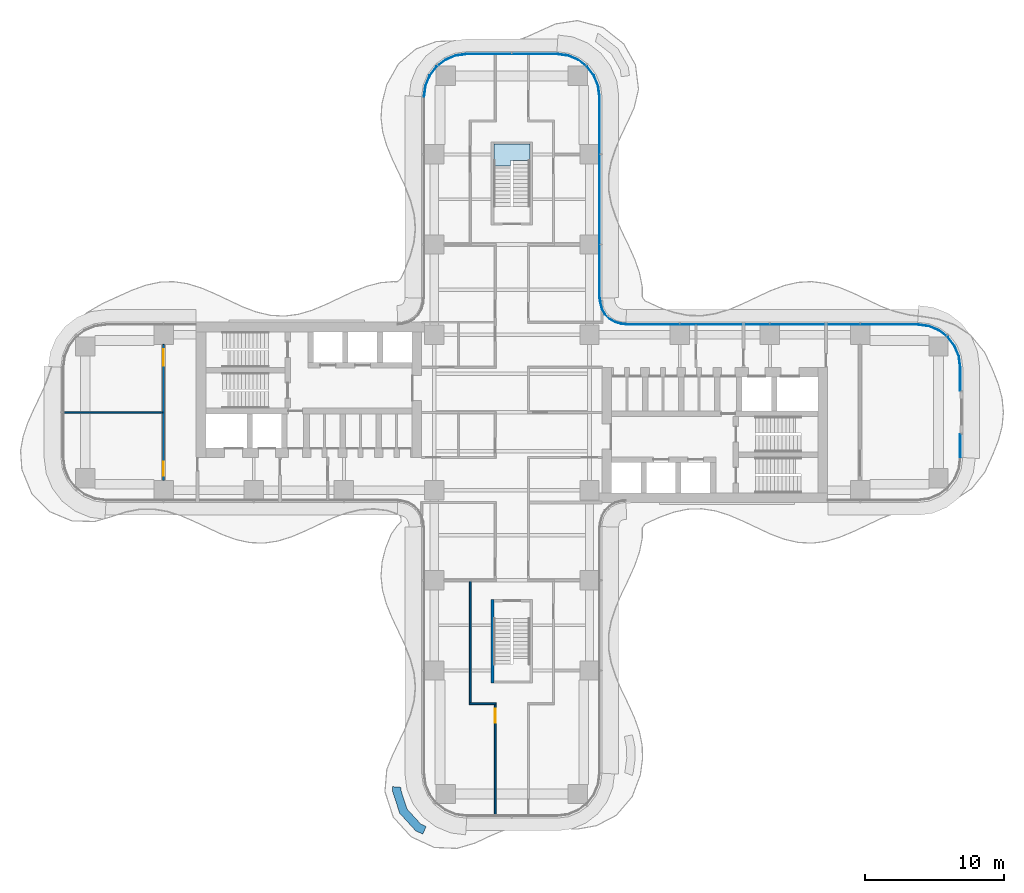
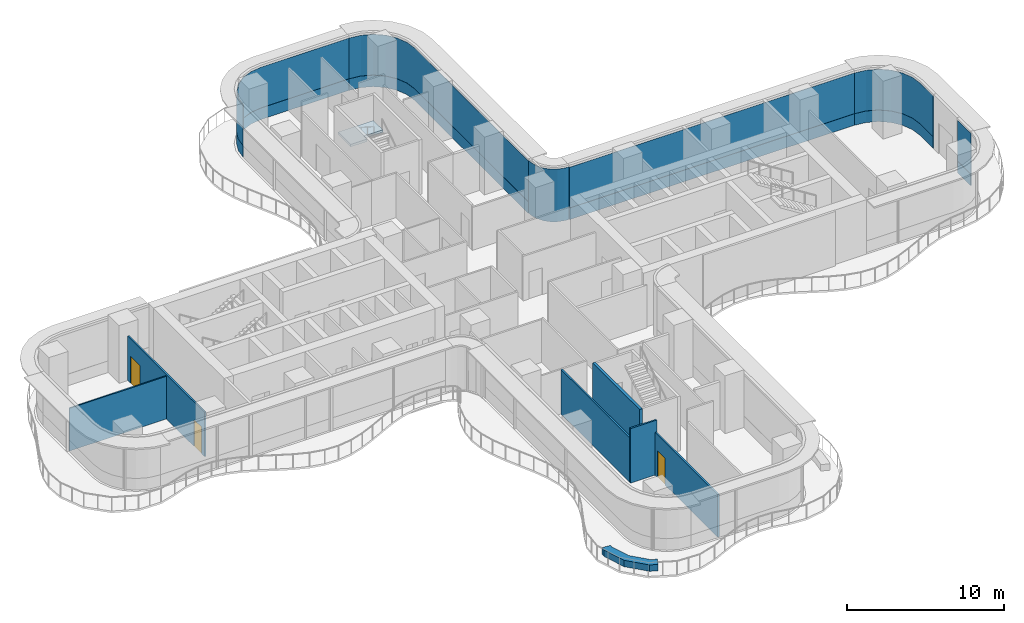
# One storey, part 16 of 22: 11 plates, 7 walls, 3 doors, 1 slab, 3 openings, 7 elements without a shape of their own.
"""IFC4 building model written with IfcOpenShell, lengths in metres."""

from ifc_helpers import new_model, si_unit, direction, frame, frame_2d, origin, place, context, subcontext, project, spatial, polyline, rectangle, outline, extrude, source, transform, mapped, material, layer, layer_set, type_object, element, fill, aggregate, save


model = new_model("IFC4")

# Units and contexts
model_context = context("Model", 3, precision=1e-05, world=origin(), true_north=direction((0.0, 1.0)))
body_context = subcontext(model_context, "Body", "Model", "MODEL_VIEW")
ifc_project = project(units=[si_unit("LENGTHUNIT", "METRE"), si_unit("AREAUNIT", "SQUARE_METRE"), si_unit("VOLUMEUNIT", "CUBIC_METRE"), si_unit("PLANEANGLEUNIT", "RADIAN"), si_unit("MASSUNIT", "GRAM", prefix="KILO")], contexts=[model_context])

# Site, building, storey
site_placement = place(None, origin())
site = spatial("IfcSite", under=ifc_project, at=site_placement, CompositionType="ELEMENT")
building_placement = place(site_placement, origin())
building = spatial("IfcBuilding", under=site, at=building_placement, Name="Trellis Farm Tower", CompositionType="ELEMENT")
storey_placement = place(building_placement, frame((0.0, 0.0, 79.0)))
storey = spatial("IfcBuildingStorey", under=building, at=storey_placement, Name="L16", CompositionType="ELEMENT", Elevation=79.0)

# Stair, slab
ifc_material_1 = material(Name="Concrete C50/60", Category="concrete")
stair_type = type_object("IfcStairType", Name="CORE EXIT STAIR 26 RISERS 173 MM", PredefinedType="HALF_TURN_STAIR", material=ifc_material_1)
placement_1 = place(storey_placement, origin())
stair = element("IfcStair", 1, at=placement_1, inside=storey, type_object=stair_type, Name="Exit stair N", PredefinedType="HALF_TURN_STAIR")
ifc_layer_1 = layer(ifc_material_1, 0.18994140625)
ifc_layer_set_1 = layer_set([ifc_layer_1], Name="CORE STAIR LANDING 190 CONCRETE C50/60")
slab_type = type_object("IfcSlabType", Name="CORE STAIR LANDING 190 CONCRETE C50/60", PredefinedType="LANDING", material=ifc_layer_set_1)
shared_shape_1 = source(origin(), body_context, "Body", "SweptSolid", [
    extrude(outline(polyline([(-0.10009765625, 17.753173828125), (-1.300048828125, 17.753173828125), (-1.300048828125, 18.14990234375), (-1.300048828125, 19.35009765625), (1.300048828125, 19.35009765625), (1.300048828125, 18.14990234375), (1.300048828125, 18.139892578125), (0.10009765625, 18.139892578125), (0.10009765625, 18.14990234375), (-0.10009765625, 18.14990234375), (-0.10009765625, 17.753173828125)])), origin(), (0.0, 0.0, 1.0), 0.18994140625),
])
slab_placement = place(storey_placement, frame((0.0, 0.0, 2.06005859375)))
slab = element("IfcSlab", 2, at=slab_placement, type_object=slab_type, Name="STN landing 1", PredefinedType="LANDING", context=body_context, shape_type="MappedRepresentation", body=[
    mapped(shared_shape_1, transform((0.0, 0.0, 0.0))),
])
aggregate(stair, [slab])

# Curtain wall, plates
ifc_material_2 = material(Name="Aluminium and glass curtain wall", Category="aluminium")
ifc_layer_2 = layer(ifc_material_2, 0.18994140625)
ifc_layer_set_2 = layer_set([ifc_layer_2], Name="RIBBON CURTAIN WALL CW1")
curtain_wall_type_1 = type_object("IfcCurtainWallType", Name="RIBBON CURTAIN WALL CW1", PredefinedType="NOTDEFINED", material=ifc_layer_set_2)
curtain_wall_1 = element("IfcCurtainWall", 3, at=placement_1, inside=storey, type_object=curtain_wall_type_1, Name="CW1 008", PredefinedType="NOTDEFINED")
ifc_material_3 = material(Name="Clear insulated glass", Category="glass")
ifc_layer_3 = layer(ifc_material_3, 0.0400390625)
ifc_layer_set_3 = layer_set([ifc_layer_3], Name="CW1 GLASS PANEL 40")
plate_type_1 = type_object("IfcPlateType", Name="CW1 GLASS PANEL 40", PredefinedType="CURTAIN_PANEL", material=ifc_layer_set_3)
shared_shape_2 = source(origin(), body_context, "Body", "SweptSolid", [
    extrude(outline(polyline([(29.240234375, 6.35009765625), (8.2265625, 6.35009765625), (8.22509765625, 6.31005859375), (29.237548828125, 6.31005859375), (29.240234375, 6.35009765625)])), origin(), (0.0, 0.0, 1.0), 3.170166015625),
])
placement_2 = place(storey_placement, frame((0.0, 0.0, 0.89990234375)))
plate_1 = element("IfcPlate", 4, at=placement_2, type_object=plate_type_1, Name="PL1 008", PredefinedType="CURTAIN_PANEL", context=body_context, shape_type="MappedRepresentation", body=[
    mapped(shared_shape_2, transform((0.0, 0.0, 0.0))),
])
ifc_material_4 = material(Name="Sandstone faced insulated panel", Category="masonry")
ifc_layer_4 = layer(ifc_material_4, 0.050048828125)
ifc_layer_set_4 = layer_set([ifc_layer_4], Name="CW1 STONE SPANDREL PANEL 50")
plate_type_2 = type_object("IfcPlateType", Name="CW1 STONE SPANDREL PANEL 50", PredefinedType="CURTAIN_PANEL", material=ifc_layer_set_4)
shared_shape_3 = source(origin(), body_context, "Body", "SweptSolid", [
    extrude(outline(polyline([(29.240234375, 6.35009765625), (8.2265625, 6.35009765625), (8.224853515625, 6.300048828125), (29.23681640625, 6.300048828125), (29.240234375, 6.35009765625)])), origin(), (0.0, 0.0, 1.0), 0.89990234375),
])
plate_2 = element("IfcPlate", 5, at=placement_1, type_object=plate_type_2, Name="PS1 008", PredefinedType="CURTAIN_PANEL", context=body_context, shape_type="MappedRepresentation", body=[
    mapped(shared_shape_3, transform((0.0, 0.0, 0.0))),
])
aggregate(curtain_wall_1, [plate_1, plate_2])

# Curtain wall, plate
ifc_layer_5 = layer(ifc_material_2, 0.166015625)
ifc_layer_set_5 = layer_set([ifc_layer_5], Name="WINTER GARDEN CURTAIN WALL CW3")
curtain_wall_type_2 = type_object("IfcCurtainWallType", Name="WINTER GARDEN CURTAIN WALL CW3", PredefinedType="NOTDEFINED", material=ifc_layer_set_5)
curtain_wall_2 = element("IfcCurtainWall", 6, at=placement_1, inside=storey, type_object=curtain_wall_type_2, Name="CW3 003", PredefinedType="NOTDEFINED")
ifc_layer_6 = layer(ifc_material_3, 0.0458984375)
ifc_layer_set_6 = layer_set([ifc_layer_6], Name="CW3 GLASS PANEL 46")
plate_type_3 = type_object("IfcPlateType", Name="CW3 GLASS PANEL 46", PredefinedType="CURTAIN_PANEL", material=ifc_layer_set_6)
shared_shape_4 = source(origin(), body_context, "Body", "SweptSolid", [
    extrude(outline(polyline([(8.2275390625, 6.3798828125), (8.0078125, 6.394287109375), (7.89208984375, 6.40966796875), (7.462158203125, 6.52490234375), (7.070556640625, 6.7509765625), (6.7509765625, 7.070556640625), (6.52490234375, 7.462158203125), (6.40966796875, 7.89208984375), (6.394287109375, 8.0078125), (6.3798828125, 8.2275390625), (6.333984375, 8.22607421875), (6.3486328125, 8.003173828125), (6.364501953125, 7.883056640625), (6.48193359375, 7.4443359375), (6.714111328125, 7.04248046875), (7.04248046875, 6.714111328125), (7.4443359375, 6.48193359375), (7.883056640625, 6.364501953125), (8.003173828125, 6.3486328125), (8.22607421875, 6.333984375), (8.2275390625, 6.3798828125)])), origin(), (0.0, 0.0, 1.0), 4.10009765625),
])
plate_3 = element("IfcPlate", 7, at=placement_1, type_object=plate_type_3, Name="PL3 003", PredefinedType="CURTAIN_PANEL", context=body_context, shape_type="MappedRepresentation", body=[
    mapped(shared_shape_4, transform((0.0, 0.0, 0.0))),
])
aggregate(curtain_wall_2, [plate_3])

# Curtain wall, plates
curtain_wall_3 = element("IfcCurtainWall", 8, at=placement_1, inside=storey, type_object=curtain_wall_type_1, Name="CW1 006", PredefinedType="NOTDEFINED")
shared_shape_5 = source(origin(), body_context, "Body", "SweptSolid", [
    extrude(outline(polyline([(32.35009765625, -3.240234375), (32.35009765625, -1.56005859375), (32.31005859375, -1.56005859375), (32.31005859375, -3.237548828125), (32.35009765625, -3.240234375)])), origin(), (0.0, 0.0, 1.0), 3.170166015625),
])
plate_4 = element("IfcPlate", 9, at=placement_2, type_object=plate_type_1, Name="PL1 006", PredefinedType="CURTAIN_PANEL", context=body_context, shape_type="MappedRepresentation", body=[
    mapped(shared_shape_5, transform((0.0, 0.0, 0.0))),
])
shared_shape_6 = source(origin(), body_context, "Body", "SweptSolid", [
    extrude(outline(polyline([(32.35009765625, -3.240234375), (32.35009765625, -1.56005859375), (32.300048828125, -1.56005859375), (32.300048828125, -3.23681640625), (32.35009765625, -3.240234375)])), origin(), (0.0, 0.0, 1.0), 0.89990234375),
])
plate_5 = element("IfcPlate", 10, at=placement_1, type_object=plate_type_2, Name="PS1 006", PredefinedType="CURTAIN_PANEL", context=body_context, shape_type="MappedRepresentation", body=[
    mapped(shared_shape_6, transform((0.0, 0.0, 0.0))),
])
aggregate(curtain_wall_3, [plate_4, plate_5])

curtain_wall_4 = element("IfcCurtainWall", 11, at=placement_1, inside=storey, type_object=curtain_wall_type_1, Name="CW1 007", PredefinedType="NOTDEFINED")
shared_shape_7 = source(origin(), body_context, "Body", "SweptSolid", [
    extrude(outline(polyline([(32.35009765625, 1.56005859375), (32.35009765625, 3.240234375), (32.2431640625, 4.052001953125), (31.93359375, 4.79931640625), (31.441162109375, 5.441162109375), (30.79931640625, 5.93359375), (30.052001953125, 6.2431640625), (29.240234375, 6.35009765625), (29.237548828125, 6.31005859375), (30.04150390625, 6.2041015625), (30.779296875, 5.898681640625), (31.41259765625, 5.41259765625), (31.898681640625, 4.779296875), (32.2041015625, 4.04150390625), (32.31005859375, 3.237548828125), (32.31005859375, 1.56005859375), (32.35009765625, 1.56005859375)])), origin(), (0.0, 0.0, 1.0), 3.170166015625),
])
plate_6 = element("IfcPlate", 12, at=placement_2, type_object=plate_type_1, Name="PL1 007", PredefinedType="CURTAIN_PANEL", context=body_context, shape_type="MappedRepresentation", body=[
    mapped(shared_shape_7, transform((0.0, 0.0, 0.0))),
])
shared_shape_8 = source(origin(), body_context, "Body", "SweptSolid", [
    extrude(outline(polyline([(32.35009765625, 1.56005859375), (32.35009765625, 3.240234375), (32.2431640625, 4.052001953125), (31.93359375, 4.79931640625), (31.441162109375, 5.441162109375), (30.79931640625, 5.93359375), (30.052001953125, 6.2431640625), (29.240234375, 6.35009765625), (29.23681640625, 6.300048828125), (30.0390625, 6.1943359375), (30.774169921875, 5.889892578125), (31.405517578125, 5.405517578125), (31.889892578125, 4.774169921875), (32.1943359375, 4.0390625), (32.300048828125, 3.23681640625), (32.300048828125, 1.56005859375), (32.35009765625, 1.56005859375)])), origin(), (0.0, 0.0, 1.0), 0.89990234375),
])
plate_7 = element("IfcPlate", 13, at=placement_1, type_object=plate_type_2, Name="PS1 007", PredefinedType="CURTAIN_PANEL", context=body_context, shape_type="MappedRepresentation", body=[
    mapped(shared_shape_8, transform((0.0, 0.0, 0.0))),
])
aggregate(curtain_wall_4, [plate_6, plate_7])

curtain_wall_5 = element("IfcCurtainWall", 14, at=placement_1, inside=storey, type_object=curtain_wall_type_1, Name="CW1 009", PredefinedType="NOTDEFINED")
shared_shape_9 = source(origin(), body_context, "Body", "SweptSolid", [
    extrude(outline(polyline([(6.35009765625, 8.2265625), (6.35009765625, 22.740234375), (6.2431640625, 23.552001953125), (5.93359375, 24.29931640625), (5.441162109375, 24.941162109375), (4.79931640625, 25.43359375), (4.052001953125, 25.7431640625), (3.240234375, 25.85009765625), (3.237548828125, 25.81005859375), (4.04150390625, 25.7041015625), (4.779296875, 25.398681640625), (5.41259765625, 24.91259765625), (5.898681640625, 24.279296875), (6.2041015625, 23.54150390625), (6.31005859375, 22.737548828125), (6.31005859375, 8.22509765625), (6.35009765625, 8.2265625)])), origin(), (0.0, 0.0, 1.0), 3.170166015625),
])
plate_8 = element("IfcPlate", 15, at=placement_2, type_object=plate_type_1, Name="PL1 009", PredefinedType="CURTAIN_PANEL", context=body_context, shape_type="MappedRepresentation", body=[
    mapped(shared_shape_9, transform((0.0, 0.0, 0.0))),
])
shared_shape_10 = source(origin(), body_context, "Body", "SweptSolid", [
    extrude(outline(polyline([(6.35009765625, 8.2265625), (6.35009765625, 22.740234375), (6.2431640625, 23.552001953125), (5.93359375, 24.29931640625), (5.441162109375, 24.941162109375), (4.79931640625, 25.43359375), (4.052001953125, 25.7431640625), (3.240234375, 25.85009765625), (3.23681640625, 25.800048828125), (4.0390625, 25.6943359375), (4.774169921875, 25.389892578125), (5.405517578125, 24.905517578125), (5.889892578125, 24.274169921875), (6.1943359375, 23.5390625), (6.300048828125, 22.73681640625), (6.300048828125, 8.224853515625), (6.35009765625, 8.2265625)])), origin(), (0.0, 0.0, 1.0), 0.89990234375),
])
plate_9 = element("IfcPlate", 16, at=placement_1, type_object=plate_type_2, Name="PS1 009", PredefinedType="CURTAIN_PANEL", context=body_context, shape_type="MappedRepresentation", body=[
    mapped(shared_shape_10, transform((0.0, 0.0, 0.0))),
])
aggregate(curtain_wall_5, [plate_8, plate_9])

curtain_wall_6 = element("IfcCurtainWall", 17, at=placement_1, inside=storey, type_object=curtain_wall_type_1, Name="CW1 010", PredefinedType="NOTDEFINED")
shared_shape_11 = source(origin(), body_context, "Body", "SweptSolid", [
    extrude(outline(polyline([(3.240234375, 25.85009765625), (-3.240234375, 25.85009765625), (-4.052001953125, 25.7431640625), (-4.79931640625, 25.43359375), (-5.441162109375, 24.941162109375), (-5.93359375, 24.29931640625), (-6.2431640625, 23.552001953125), (-6.35009765625, 22.740234375), (-6.31005859375, 22.737548828125), (-6.2041015625, 23.54150390625), (-5.898681640625, 24.279296875), (-5.41259765625, 24.91259765625), (-4.779296875, 25.398681640625), (-4.04150390625, 25.7041015625), (-3.237548828125, 25.81005859375), (3.237548828125, 25.81005859375), (3.240234375, 25.85009765625)])), origin(), (0.0, 0.0, 1.0), 3.170166015625),
])
plate_10 = element("IfcPlate", 18, at=placement_2, type_object=plate_type_1, Name="PL1 010", PredefinedType="CURTAIN_PANEL", context=body_context, shape_type="MappedRepresentation", body=[
    mapped(shared_shape_11, transform((0.0, 0.0, 0.0))),
])
shared_shape_12 = source(origin(), body_context, "Body", "SweptSolid", [
    extrude(outline(polyline([(3.240234375, 25.85009765625), (-3.240234375, 25.85009765625), (-4.052001953125, 25.7431640625), (-4.79931640625, 25.43359375), (-5.441162109375, 24.941162109375), (-5.93359375, 24.29931640625), (-6.2431640625, 23.552001953125), (-6.35009765625, 22.740234375), (-6.300048828125, 22.73681640625), (-6.1943359375, 23.5390625), (-5.889892578125, 24.274169921875), (-5.405517578125, 24.905517578125), (-4.774169921875, 25.389892578125), (-4.0390625, 25.6943359375), (-3.23681640625, 25.800048828125), (3.23681640625, 25.800048828125), (3.240234375, 25.85009765625)])), origin(), (0.0, 0.0, 1.0), 0.89990234375),
])
plate_11 = element("IfcPlate", 19, at=placement_1, type_object=plate_type_2, Name="PS1 010", PredefinedType="CURTAIN_PANEL", context=body_context, shape_type="MappedRepresentation", body=[
    mapped(shared_shape_12, transform((0.0, 0.0, 0.0))),
])
aggregate(curtain_wall_6, [plate_10, plate_11])

# Walls
ifc_material_5 = material(Name="Sandstone faced masonry planter", Category="masonry")
ifc_layer_7 = layer(ifc_material_5, 0.60009765625)
ifc_layer_set_7 = layer_set([ifc_layer_7], Name="PLANTER BED 600")
wall_type_1 = type_object("IfcWallType", Name="PLANTER BED 600", PredefinedType="USERDEFINED", material=ifc_layer_set_7)
element("IfcWall", 20, at=placement_1, inside=storey, type_object=wall_type_1, Name="PLANTER bed", ObjectType="PLANTER", PredefinedType="USERDEFINED", context=body_context, shape_type="SweptSolid", body=[
    extrude(outline(polyline([(-6.925048828125, -30.162353515625), (-8.077392578125, -28.897705078125), (-8.609619140625, -27.27587890625), (-8.583984375, -26.971435546875), (-7.986083984375, -27.021728515625), (-8.001708984375, -27.20458984375), (-7.54736328125, -28.588623046875), (-6.564208984375, -29.66748046875), (-6.1708984375, -29.8466796875), (-6.419677734375, -30.392578125), (-6.925048828125, -30.162353515625)])), origin(), (0.0, 0.0, 1.0), 0.5),
])
ifc_material_6 = material(Name="Concrete C80/95", Category="concrete")
ifc_layer_8 = layer(ifc_material_6, 0.199951171875)
ifc_layer_set_8 = layer_set([ifc_layer_8], Name="CORE STAIR ENCLOSURE WALL 200 CONCRETE C80/95")
wall_type_2 = type_object("IfcWallType", Name="CORE STAIR ENCLOSURE WALL 200 CONCRETE C80/95", PredefinedType="SHEAR", material=ifc_layer_set_8)
shared_shape_13 = source(origin(), body_context, "Body", "SweptSolid", [
    extrude(rectangle(XDim=6.0, YDim=0.199951171875, at=frame_2d((3.0, 0.0))), origin(), (0.0, 0.0, 1.0), 4.25),
])
wall_2_placement = place(storey_placement, frame((-1.39990234375, -13.5, 0.0), z_axis=(0.0, 0.0, 1.0), x_axis=(0.0, -1.0, 0.0)))
element("IfcWall", 21, at=wall_2_placement, inside=storey, type_object=wall_type_2, Name="Stair enclosure wall", PredefinedType="SHEAR", context=body_context, shape_type="MappedRepresentation", body=[
    mapped(shared_shape_13, transform((0.0, 0.0, 0.0))),
])

# Wall, openings, doors
ifc_material_7 = material(Name="Plasterboard on steel studs, mineral wool", Category="steel")
ifc_layer_9 = layer(ifc_material_7, 0.125)
ifc_layer_set_9 = layer_set([ifc_layer_9], Name="PARTITION 125 STUD EI 60")
wall_type_3 = type_object("IfcWallType", Name="PARTITION 125 STUD EI 60", PredefinedType="PARTITIONING", material=ifc_layer_set_9)
shared_shape_14 = source(origin(), body_context, "Body", "SweptSolid", [
    extrude(rectangle(XDim=9.7998046875, YDim=0.125, at=frame_2d((4.89990234375, 0.0))), origin(), (0.0, 0.0, 1.0), 3.4677734375),
])
wall_3_placement = place(storey_placement, frame((-25.10009765625, -4.89990234375, 0.0), z_axis=(0.0, 0.0, 1.0), x_axis=(0.0, 1.0, 0.0)))
wall_3 = element("IfcWall", 22, at=wall_3_placement, inside=storey, type_object=wall_type_3, Name="Partition PW1", PredefinedType="PARTITIONING", context=body_context, shape_type="MappedRepresentation", body=[
    mapped(shared_shape_14, transform((0.0, 0.0, 0.0))),
])
shared_shape_15 = source(origin(), body_context, "Body", "SweptSolid", [
    extrude(rectangle(XDim=1.0, YDim=2.10009765625, at=frame_2d((0.5, 1.050048828125))), frame((0.0, 0.072509765625, 0.0), z_axis=(0.0, -1.0, 0.0), x_axis=(1.0, 0.0, 0.0)), (0.0, 0.0, 1.0), 0.14501953125),
])
opening_1_placement = place(wall_3_placement, frame((0.35009765625, 0.0, 0.0)))
opening_1 = element("IfcOpeningElement", 23, at=opening_1_placement, cuts=wall_3, Name="Opening D103", PredefinedType="OPENING", context=body_context, shape_type="MappedRepresentation", body=[
    mapped(shared_shape_15, transform((0.0, 0.0, 0.0))),
])
shared_shape_16 = source(origin(), body_context, "Body", "SweptSolid", [
    extrude(rectangle(XDim=1.199951171875, YDim=2.10009765625, at=frame_2d((0.60009765625, 1.050048828125))), frame((0.0, 0.072509765625, 0.0), z_axis=(0.0, -1.0, 0.0), x_axis=(1.0, 0.0, 0.0)), (0.0, 0.0, 1.0), 0.14501953125),
])
opening_2_placement = place(wall_3_placement, frame((8.25, 0.0, 0.0)))
opening_2 = element("IfcOpeningElement", 24, at=opening_2_placement, cuts=wall_3, Name="Opening D602", PredefinedType="OPENING", context=body_context, shape_type="MappedRepresentation", body=[
    mapped(shared_shape_16, transform((0.0, 0.0, 0.0))),
])
ifc_material_8 = material(Name="Fire-rated timber door leaf in a hollow metal frame", Category="wood")
door_type_1 = type_object("IfcDoorType", Name="DOOR 1000x2100 FD30S", OperationType="NOTDEFINED", PredefinedType="DOOR", material=ifc_material_8)
shared_shape_17 = source(origin(), body_context, "Body", "SweptSolid", [
    extrude(rectangle(XDim=1.0, YDim=2.10009765625, at=frame_2d((0.5, 1.050048828125))), frame((0.0, 0.02490234375, 0.0), z_axis=(0.0, -1.0, 0.0), x_axis=(1.0, 0.0, 0.0)), (0.0, 0.0, 1.0), 0.050048828125),
])
door_1_placement = place(opening_1_placement, origin())
door_1 = element("IfcDoor", 25, at=door_1_placement, inside=storey, type_object=door_type_1, Name="Door D103", OperationType="SINGLE_SWING_LEFT", OverallHeight=2.10009765625, OverallWidth=1.0, PredefinedType="DOOR", context=body_context, shape_type="MappedRepresentation", body=[
    mapped(shared_shape_17, transform((0.0, 0.0, 0.0))),
])
fill(opening_1, door_1)
door_type_2 = type_object("IfcDoorType", Name="DOOR 1200x2100 FD30S", OperationType="NOTDEFINED", PredefinedType="DOOR", material=ifc_material_8)
shared_shape_18 = source(origin(), body_context, "Body", "SweptSolid", [
    extrude(rectangle(XDim=1.199951171875, YDim=2.10009765625, at=frame_2d((0.60009765625, 1.050048828125))), frame((0.0, 0.02490234375, 0.0), z_axis=(0.0, -1.0, 0.0), x_axis=(1.0, 0.0, 0.0)), (0.0, 0.0, 1.0), 0.050048828125),
])
door_2_placement = place(opening_2_placement, origin())
door_2 = element("IfcDoor", 26, at=door_2_placement, inside=storey, type_object=door_type_2, Name="Door D602", OperationType="SINGLE_SWING_RIGHT", OverallHeight=2.10009765625, OverallWidth=1.199951171875, PredefinedType="DOOR", context=body_context, shape_type="MappedRepresentation", body=[
    mapped(shared_shape_18, transform((0.0, 0.0, 0.0))),
])
fill(opening_2, door_2)

# Wall
ifc_material_9 = material(Name="Plasterboard on steel studs", Category="steel")
ifc_layer_10 = layer(ifc_material_9, 0.10009765625)
ifc_layer_set_10 = layer_set([ifc_layer_10], Name="PARTITION 100 STUD EI 30")
wall_type_4 = type_object("IfcWallType", Name="PARTITION 100 STUD EI 30", PredefinedType="PARTITIONING", material=ifc_layer_set_10)
shared_shape_19 = source(origin(), body_context, "Body", "SweptSolid", [
    extrude(rectangle(XDim=7.137451171875, YDim=0.10009765625, at=frame_2d((3.56884765625, 0.0))), origin(), (0.0, 0.0, 1.0), 3.330078125),
])
wall_4_placement = place(storey_placement, frame((-32.300048828125, 0.0, 0.0), z_axis=(0.0, 0.0, 1.0), x_axis=(1.0, 0.0, 0.0)))
element("IfcWall", 27, at=wall_4_placement, inside=storey, type_object=wall_type_4, Name="Partition PW2", PredefinedType="PARTITIONING", context=body_context, shape_type="MappedRepresentation", body=[
    mapped(shared_shape_19, transform((0.0, 0.0, 0.0))),
])

# Wall, opening, door
shared_shape_20 = source(origin(), body_context, "Body", "SweptSolid", [
    extrude(rectangle(XDim=7.987548828125, YDim=0.125, at=frame_2d((3.99365234375, 0.0))), origin(), (0.0, 0.0, 1.0), 3.330078125),
])
wall_5_placement = place(storey_placement, frame((-1.199951171875, -21.0625, 0.0), z_axis=(0.0, 0.0, 1.0), x_axis=(0.0, -1.0, 0.0)))
wall_5 = element("IfcWall", 28, at=wall_5_placement, inside=storey, type_object=wall_type_3, Name="Partition PW1", PredefinedType="PARTITIONING", context=body_context, shape_type="MappedRepresentation", body=[
    mapped(shared_shape_20, transform((0.0, 0.0, 0.0))),
])
opening_3_placement = place(wall_5_placement, frame((0.28759765625, 0.0, 0.0)))
opening_3 = element("IfcOpeningElement", 29, at=opening_3_placement, cuts=wall_5, Name="Opening D102", PredefinedType="OPENING", context=body_context, shape_type="MappedRepresentation", body=[
    mapped(shared_shape_15, transform((0.0, 0.0, 0.0))),
])
door_3_placement = place(opening_3_placement, origin())
door_3 = element("IfcDoor", 30, at=door_3_placement, inside=storey, type_object=door_type_1, Name="Door D102", OperationType="SINGLE_SWING_LEFT", OverallHeight=2.10009765625, OverallWidth=1.0, PredefinedType="DOOR", context=body_context, shape_type="MappedRepresentation", body=[
    mapped(shared_shape_17, transform((0.0, 0.0, 0.0))),
])
fill(opening_3, door_3)

# Walls
shared_shape_21 = source(origin(), body_context, "Body", "SweptSolid", [
    extrude(rectangle(XDim=1.925048828125, YDim=0.125, at=frame_2d((0.96240234375, 0.0))), origin(), (0.0, 0.0, 1.0), 4.25),
])
wall_6_placement = place(storey_placement, frame((-1.137451171875, -21.0, 0.0), z_axis=(0.0, 0.0, 1.0), x_axis=(-1.0, 0.0, 0.0)))
element("IfcWall", 31, at=wall_6_placement, inside=storey, type_object=wall_type_3, Name="Partition PW1", PredefinedType="PARTITIONING", context=body_context, shape_type="MappedRepresentation", body=[
    mapped(shared_shape_21, transform((0.0, 0.0, 0.0))),
])
shared_shape_22 = source(origin(), body_context, "Body", "SweptSolid", [
    extrude(rectangle(XDim=8.78759765625, YDim=0.125, at=frame_2d((4.393798828125, 0.0))), origin(), (0.0, 0.0, 1.0), 3.4677734375),
])
wall_7_placement = place(storey_placement, frame((-3.0, -20.9375, 0.0), z_axis=(0.0, 0.0, 1.0), x_axis=(0.0, 1.0, 0.0)))
element("IfcWall", 32, at=wall_7_placement, inside=storey, type_object=wall_type_3, Name="Partition PW1", PredefinedType="PARTITIONING", context=body_context, shape_type="MappedRepresentation", body=[
    mapped(shared_shape_22, transform((0.0, 0.0, 0.0))),
])

save(model, "model.ifc")
